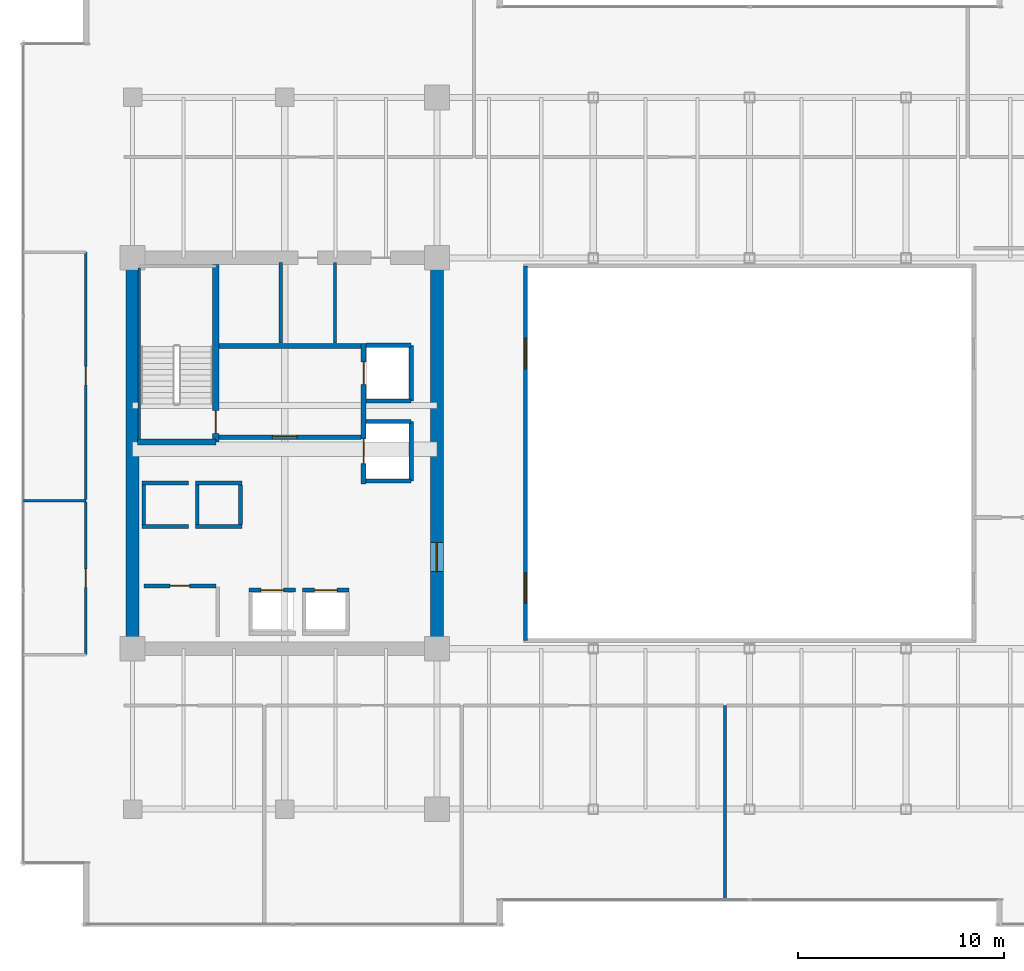
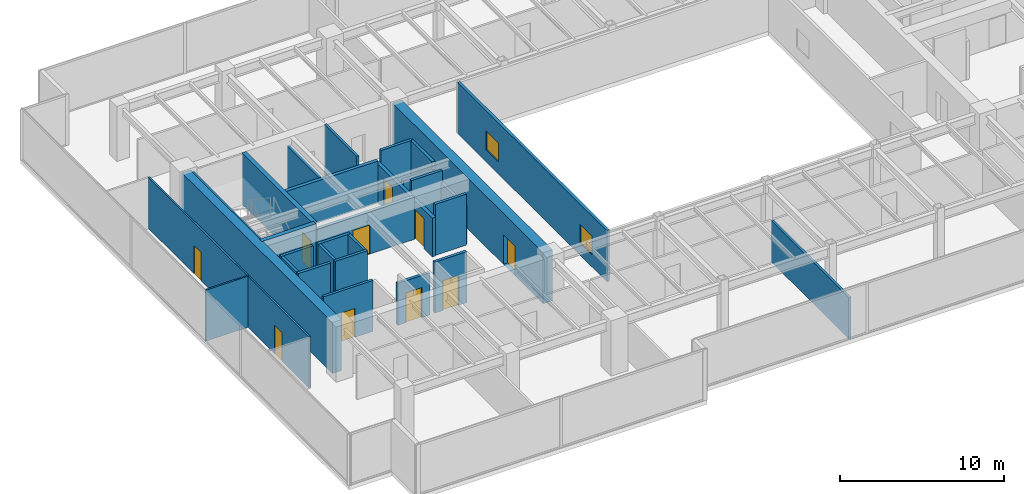
# One storey, part 25 of 30: 31 walls, 10 doors, 2 windows, 12 openings.
"""IFC4 building model written with IfcOpenShell, lengths in metres."""

from ifc_helpers import new_model, si_unit, direction, frame, frame_2d, origin, place, context, subcontext, project, spatial, rectangle, extrude, source, transform, mapped, material, layer, layer_set, type_object, type_shapes, element, fill, save


model = new_model("IFC4")

# Units and contexts
model_context = context("Model", 3, precision=1e-05, world=origin(), true_north=direction((0.0, 1.0)))
body_context = subcontext(model_context, "Body", "Model", "MODEL_VIEW")
ifc_project = project(units=[si_unit("LENGTHUNIT", "METRE"), si_unit("AREAUNIT", "SQUARE_METRE"), si_unit("VOLUMEUNIT", "CUBIC_METRE"), si_unit("PLANEANGLEUNIT", "RADIAN"), si_unit("MASSUNIT", "GRAM", prefix="KILO")], contexts=[model_context])

# Site, building, storey
site_placement = place(None, origin())
site = spatial("IfcSite", under=ifc_project, at=site_placement, CompositionType="ELEMENT")
building_placement = place(site_placement, origin())
building = spatial("IfcBuilding", under=site, at=building_placement, Name="Haelvirn Gate Laboratories", CompositionType="ELEMENT")
storey_placement = place(building_placement, frame((0.0, 0.0, 125.60009765625)))
storey = spatial("IfcBuildingStorey", under=building, at=storey_placement, Name="L30", CompositionType="ELEMENT", Elevation=125.60009765625)

# Wall
ifc_material_1 = material(Name="Double-layer acoustic gypsum laboratory partition", Category="gypsum")
ifc_layer_1 = layer(ifc_material_1, 0.159912109375, Name="IW-ACOUST-160")
ifc_layer_set_1 = layer_set([ifc_layer_1], Name="Double-layer acoustic gypsum laboratory partition")
wall_type_1 = type_object("IfcWallType", Name="IW-ACOUST-160", PredefinedType="PARTITIONING", material=ifc_layer_set_1)
wall_1_placement = place(storey_placement, frame((36.199951171875, 2.610107421875, 0.0), z_axis=(0.0, 0.0, 1.0), x_axis=(0.0, 1.0, 0.0)))
element("IfcWall", 1, at=wall_1_placement, inside=storey, type_object=wall_type_1, Name="L30 Interior Wall IW-L30-SDIV-03", PredefinedType="PARTITIONING", context=body_context, shape_type="SweptSolid", body=[
    extrude(rectangle(XDim=9.429931640625, YDim=0.159912109375, at=frame_2d((4.71484375, 0.0))), origin(), (0.0, 0.0, 1.0), 3.074951171875),
])

# Wall, openings, windows
ifc_material_2 = material(Name="Tempered fire-rated borosilicate glass & anodised aluminium", Category="aluminium")
ifc_layer_2 = layer(ifc_material_2, 0.195068359375, Name="IW-GLAZ-200")
ifc_layer_set_2 = layer_set([ifc_layer_2], Name="Tempered fire-rated borosilicate glass & anodised aluminium")
wall_type_2 = type_object("IfcWallType", Name="IW-GLAZ-200", PredefinedType="SOLIDWALL", material=ifc_layer_set_2)
wall_2_placement = place(storey_placement, frame((26.5, 15.199951171875, 0.0), z_axis=(0.0, 0.0, 1.0), x_axis=(0.0, 1.0, 0.0)))
wall_2 = element("IfcWall", 2, at=wall_2_placement, inside=storey, type_object=wall_type_2, Name="L30 Interior Wall IW-L30-ATRIUM-W", PredefinedType="SOLIDWALL", context=body_context, shape_type="SweptSolid", body=[
    extrude(rectangle(XDim=18.199951171875, YDim=0.195068359375, at=frame_2d((9.10009765625, 0.0))), origin(), (0.0, 0.0, 1.0), 3.789794921875),
])
opening_1_placement = place(wall_2_placement, frame((1.800048828125, 0.0, 0.89990234375)))
opening_1 = element("IfcOpeningElement", 3, at=opening_1_placement, cuts=wall_2, Name="Opening W5", PredefinedType="OPENING", context=body_context, shape_type="SweptSolid", body=[
    extrude(rectangle(XDim=1.5, YDim=1.39990234375, at=frame_2d((0.75, 0.699951171875))), frame((0.0, 0.107421875, 0.0), z_axis=(0.0, -1.0, 0.0), x_axis=(1.0, 0.0, 0.0)), (0.0, 0.0, 1.0), 0.215087890625),
])
opening_2_placement = place(wall_2_placement, frame((13.199951171875, 0.0, 0.89990234375)))
opening_2 = element("IfcOpeningElement", 4, at=opening_2_placement, cuts=wall_2, Name="Opening W5", PredefinedType="OPENING", context=body_context, shape_type="SweptSolid", body=[
    extrude(rectangle(XDim=1.5, YDim=1.39990234375, at=frame_2d((0.75, 0.699951171875))), frame((0.0, 0.107421875, 0.0), z_axis=(0.0, -1.0, 0.0), x_axis=(1.0, 0.0, 0.0)), (0.0, 0.0, 1.0), 0.215087890625),
])
ifc_material_3 = material(Name="Fire-rated EI 120 borosilicate atrium vision glazing", Category="glass")
window_type = type_object("IfcWindowType", Name="WN-ATR-1500", PartitioningType="SINGLE_PANEL", PredefinedType="WINDOW", material=ifc_material_3)
shared_shape_1 = source(origin(), body_context, "Body", "SweptSolid", [
    extrude(rectangle(XDim=1.5, YDim=1.39990234375, at=frame_2d((0.75, 0.699951171875))), frame((0.0, 0.030029296875, 0.0), z_axis=(0.0, -1.0, 0.0), x_axis=(1.0, 0.0, 0.0)), (0.0, 0.0, 1.0), 0.06005859375),
])
type_shapes(window_type, [shared_shape_1])
window_1_placement = place(opening_1_placement, origin())
window_1 = element("IfcWindow", 5, at=window_1_placement, inside=storey, type_object=window_type, Name="L30 Atrium Observation Window 1", OverallHeight=1.39990234375, OverallWidth=1.5, PartitioningType="SINGLE_PANEL", PredefinedType="WINDOW", context=body_context, shape_type="MappedRepresentation", body=[
    mapped(shared_shape_1, transform((0.0, 0.0, 0.0), scale=1.0)),
])
fill(opening_1, window_1)
window_2_placement = place(opening_2_placement, origin())
window_2 = element("IfcWindow", 6, at=window_2_placement, inside=storey, type_object=window_type, Name="L30 Atrium Observation Window 2", OverallHeight=1.39990234375, OverallWidth=1.5, PartitioningType="SINGLE_PANEL", PredefinedType="WINDOW", context=body_context, shape_type="MappedRepresentation", body=[
    mapped(shared_shape_1, transform((0.0, 0.0, 0.0), scale=1.0)),
])
fill(opening_2, window_2)

# Wall, opening, door
ifc_material_4 = material(Name="Lightweight acoustic gypsum board partition", Category="gypsum")
ifc_layer_3 = layer(ifc_material_4, 0.1201171875, Name="IW-PART-120")
ifc_layer_set_3 = layer_set([ifc_layer_3], Name="Lightweight acoustic gypsum board partition")
wall_type_3 = type_object("IfcWallType", Name="IW-PART-120", PredefinedType="PARTITIONING", material=ifc_layer_set_3)
wall_3_placement = place(storey_placement, frame((5.1298828125, 14.514892578125, 0.0), z_axis=(0.0, 0.0, 1.0), x_axis=(0.0, 1.0, 0.0)))
wall_3 = element("IfcWall", 7, at=wall_3_placement, inside=storey, type_object=wall_type_3, Name="L30 Interior Wall IW-L30-WPASS-01", PredefinedType="PARTITIONING", context=body_context, shape_type="SweptSolid", body=[
    extrude(rectangle(XDim=7.425048828125, YDim=0.1201171875, at=frame_2d((3.71240234375, 0.0))), origin(), (0.0, 0.0, 1.0), 3.789794921875),
])
opening_3_placement = place(wall_3_placement, frame((3.262451171875, 0.0, 0.0)))
opening_3 = element("IfcOpeningElement", 8, at=opening_3_placement, cuts=wall_3, Name="Opening D4", PredefinedType="OPENING", context=body_context, shape_type="SweptSolid", body=[
    extrude(rectangle(XDim=0.89990234375, YDim=2.10009765625, at=frame_2d((0.449951171875, 1.050048828125))), frame((0.0, 0.070068359375, 0.0), z_axis=(0.0, -1.0, 0.0), x_axis=(1.0, 0.0, 0.0)), (0.0, 0.0, 1.0), 0.14013671875),
])
ifc_material_5 = material(Name="Glazed aluminium-framed write-up door", Category="aluminium")
door_type_1 = type_object("IfcDoorType", Name="DR-OFF-900", OperationType="NOTDEFINED", PredefinedType="DOOR", material=ifc_material_5)
shared_shape_2 = source(origin(), body_context, "Body", "SweptSolid", [
    extrude(rectangle(XDim=0.89990234375, YDim=2.10009765625, at=frame_2d((0.449951171875, 1.050048828125))), frame((0.0, 0.02490234375, 0.0), z_axis=(0.0, -1.0, 0.0), x_axis=(1.0, 0.0, 0.0)), (0.0, 0.0, 1.0), 0.050048828125),
])
type_shapes(door_type_1, [shared_shape_2])
door_1_placement = place(opening_3_placement, origin())
door_1 = element("IfcDoor", 9, at=door_1_placement, inside=storey, type_object=door_type_1, Name="L30 Researcher Break Pantry Door W1", OperationType="SINGLE_SWING_LEFT", OverallHeight=2.10009765625, OverallWidth=0.89990234375, PredefinedType="DOOR", context=body_context, shape_type="MappedRepresentation", body=[
    mapped(shared_shape_2, transform((0.0, 0.0, 0.0), scale=1.0)),
])
fill(opening_3, door_1)

# Wall
wall_4_placement = place(storey_placement, frame((2.110107421875, 22.0, 0.0), z_axis=(0.0, 0.0, 1.0), x_axis=(1.0, 0.0, 0.0)))
element("IfcWall", 10, at=wall_4_placement, inside=storey, type_object=wall_type_3, Name="L30 Interior Wall IW-L30-WDIV-01", PredefinedType="PARTITIONING", context=body_context, shape_type="SweptSolid", body=[
    extrude(rectangle(XDim=3.019775390625, YDim=0.1201171875, at=frame_2d((1.509765625, 0.0))), origin(), (0.0, 0.0, 1.0), 3.789794921875),
])

# Wall, opening, door
wall_5_placement = place(storey_placement, frame((5.1298828125, 22.06005859375, 0.0), z_axis=(0.0, 0.0, 1.0), x_axis=(0.0, 1.0, 0.0)))
wall_5 = element("IfcWall", 11, at=wall_5_placement, inside=storey, type_object=wall_type_3, Name="L30 Interior Wall IW-L30-WPASS-02", PredefinedType="PARTITIONING", context=body_context, shape_type="SweptSolid", body=[
    extrude(rectangle(XDim=12.02490234375, YDim=0.1201171875, at=frame_2d((6.012451171875, 0.0))), origin(), (0.0, 0.0, 1.0), 3.789794921875),
])
opening_4_placement = place(wall_5_placement, frame((5.5625, 0.0, 0.0)))
opening_4 = element("IfcOpeningElement", 12, at=opening_4_placement, cuts=wall_5, Name="Opening D4", PredefinedType="OPENING", context=body_context, shape_type="SweptSolid", body=[
    extrude(rectangle(XDim=0.89990234375, YDim=2.10009765625, at=frame_2d((0.449951171875, 1.050048828125))), frame((0.0, 0.070068359375, 0.0), z_axis=(0.0, -1.0, 0.0), x_axis=(1.0, 0.0, 0.0)), (0.0, 0.0, 1.0), 0.14013671875),
])
door_2_placement = place(opening_4_placement, origin())
door_2 = element("IfcDoor", 13, at=door_2_placement, inside=storey, type_object=door_type_1, Name="L30 Bioprocess Foundry Laboratory Door W2", OperationType="SINGLE_SWING_RIGHT", OverallHeight=2.10009765625, OverallWidth=0.89990234375, PredefinedType="DOOR", context=body_context, shape_type="MappedRepresentation", body=[
    mapped(shared_shape_2, transform((0.0, 0.0, 0.0), scale=1.0)),
])
fill(opening_4, door_2)

# Walls
ifc_material_6 = material(Name="Cement-board restroom plumbing chase wall", Category="gypsum")
ifc_layer_4 = layer(ifc_material_6, 0.155029296875, Name="IW-PLUMB-160")
ifc_layer_set_4 = layer_set([ifc_layer_4], Name="Cement-board restroom plumbing chase wall")
wall_type_4 = type_object("IfcWallType", Name="IW-PLUMB-160", PredefinedType="PLUMBINGWALL", material=ifc_layer_set_4)
wall_6_placement = place(storey_placement, frame((14.610107421875, 29.64990234375, 0.0), z_axis=(0.0, 0.0, 1.0), x_axis=(0.0, 1.0, 0.0)))
element("IfcWall", 14, at=wall_6_placement, inside=storey, type_object=wall_type_4, Name="L30 Interior Wall IW-L30-W-CDIV-0", PredefinedType="PLUMBINGWALL", context=body_context, shape_type="SweptSolid", body=[
    extrude(rectangle(XDim=3.93017578125, YDim=0.155029296875, at=frame_2d((1.965087890625, 0.0))), origin(), (0.0, 0.0, 1.0), 3.125),
])
wall_7_placement = place(storey_placement, frame((17.239990234375, 29.64990234375, 0.0), z_axis=(0.0, 0.0, 1.0), x_axis=(0.0, 1.0, 0.0)))
element("IfcWall", 15, at=wall_7_placement, inside=storey, type_object=wall_type_4, Name="L30 Interior Wall IW-L30-W-CDIV-1", PredefinedType="PLUMBINGWALL", context=body_context, shape_type="SweptSolid", body=[
    extrude(rectangle(XDim=3.93017578125, YDim=0.155029296875, at=frame_2d((1.965087890625, 0.0))), origin(), (0.0, 0.0, 1.0), 3.789794921875),
])
ifc_material_7 = material(Name="Concrete C40/50", Category="concrete")
ifc_layer_5 = layer(ifc_material_7, 0.179931640625, Name="IW-SHAFT-180")
ifc_layer_set_5 = layer_set([ifc_layer_5], Name="Concrete C40/50")
wall_type_5 = type_object("IfcWallType", Name="IW-SHAFT-180", PredefinedType="SOLIDWALL", material=ifc_layer_set_5)
for number, where, z_axis, x_axis, name in (
    (16, (7.949951171875, 20.85009765625, 0.0), (0.0, 0.0, 1.0), (0.0, 1.0, 0.0), "L30 Interior Wall IW-L30-PL9-SD"),
    (17, (10.550048828125, 20.85009765625, 0.0), (0.0, 0.0, 1.0), (0.0, 1.0, 0.0), "L30 Interior Wall IW-L30-PL10-SD"),
    (18, (12.64990234375, 20.85009765625, 0.0), (0.0, 0.0, 1.0), (0.0, 1.0, 0.0), "L30 Interior Wall IW-L30-PL10-SDE"),
):
    element("IfcWall", number, at=place(storey_placement, frame(where, z_axis=z_axis, x_axis=x_axis)), inside=storey, type_object=wall_type_5, Name=name, PredefinedType="SOLIDWALL", context=body_context, shape_type="SweptSolid", body=[
        extrude(rectangle(XDim=1.89990234375, YDim=0.179931640625, at=frame_2d((0.949951171875, 0.0))), origin(), (0.0, 0.0, 1.0), 3.789794921875),
    ])

# Wall, opening, door
wall_8_placement = place(storey_placement, frame((7.949951171875, 17.85009765625, 0.0), z_axis=(0.0, 0.0, 1.0), x_axis=(1.0, 0.0, 0.0)))
wall_8 = element("IfcWall", 19, at=wall_8_placement, inside=storey, type_object=wall_type_5, Name="L30 Interior Wall IW-L30-W-FREED-LN-1", PredefinedType="SOLIDWALL", context=body_context, shape_type="SweptSolid", body=[
    extrude(rectangle(XDim=3.5, YDim=0.179931640625, at=frame_2d((1.75, 0.0))), origin(), (0.0, 0.0, 1.0), 3.789794921875),
])
opening_5_placement = place(wall_8_placement, frame((1.27490234375, 0.0, 0.0)))
opening_5 = element("IfcOpeningElement", 20, at=opening_5_placement, cuts=wall_8, Name="Opening FD4", PredefinedType="OPENING", context=body_context, shape_type="SweptSolid", body=[
    extrude(rectangle(XDim=0.949951171875, YDim=2.14990234375, at=frame_2d((0.47509765625, 1.074951171875))), frame((0.0, 0.10009765625, 0.0), z_axis=(0.0, -1.0, 0.0), x_axis=(1.0, 0.0, 0.0)), (0.0, 0.0, 1.0), 0.199951171875),
])
ifc_material_8 = material(Name="Fire-rated steel SM355 core service door", Category="steel")
door_type_2 = type_object("IfcDoorType", Name="DR-FD-950", OperationType="NOTDEFINED", PredefinedType="DOOR", material=ifc_material_8)
shared_shape_3 = source(origin(), body_context, "Body", "SweptSolid", [
    extrude(rectangle(XDim=0.949951171875, YDim=2.14990234375, at=frame_2d((0.47509765625, 1.074951171875))), frame((0.0, 0.02490234375, 0.0), z_axis=(0.0, -1.0, 0.0), x_axis=(1.0, 0.0, 0.0)), (0.0, 0.0, 1.0), 0.050048828125),
])
type_shapes(door_type_2, [shared_shape_3])
door_3_placement = place(opening_5_placement, origin())
door_3 = element("IfcDoor", 21, at=door_3_placement, inside=storey, type_object=door_type_2, Name="L30 Core Calibration Room Door", OperationType="SINGLE_SWING_LEFT", OverallHeight=2.14990234375, OverallWidth=0.949951171875, PredefinedType="DOOR", context=body_context, shape_type="MappedRepresentation", body=[
    mapped(shared_shape_3, transform((0.0, 0.0, 0.0), scale=1.0)),
])
fill(opening_5, door_3)

ifc_layer_6 = layer(ifc_material_7, 0.199951171875, Name="IW-SHAFT-200")
ifc_layer_set_6 = layer_set([ifc_layer_6], Name="Concrete C40/50")
wall_type_6 = type_object("IfcWallType", Name="IW-SHAFT-200", PredefinedType="SOLIDWALL", material=ifc_layer_set_6)
wall_9_placement = place(storey_placement, frame((13.070068359375, 17.64990234375, 0.0), z_axis=(0.0, 0.0, 1.0), x_axis=(1.0, 0.0, 0.0)))
wall_9 = element("IfcWall", 22, at=wall_9_placement, inside=storey, type_object=wall_type_6, Name="L30 Interior Wall IW-L30-PL5-FR", PredefinedType="SOLIDWALL", context=body_context, shape_type="SweptSolid", body=[
    extrude(rectangle(XDim=2.260009765625, YDim=0.199951171875, at=frame_2d((1.1298828125, 0.0))), origin(), (0.0, 0.0, 1.0), 3.125),
])
opening_6_placement = place(wall_9_placement, frame((0.580078125, 0.0, 0.0)))
opening_6 = element("IfcOpeningElement", 23, at=opening_6_placement, cuts=wall_9, Name="Opening LD2", PredefinedType="OPENING", context=body_context, shape_type="SweptSolid", body=[
    extrude(rectangle(XDim=1.10009765625, YDim=2.219970703125, at=frame_2d((0.550048828125, 1.10986328125))), frame((0.0, 0.10986328125, 0.0), z_axis=(0.0, -1.0, 0.0), x_axis=(1.0, 0.0, 0.0)), (0.0, 0.0, 1.0), 0.219970703125),
])
ifc_material_9 = material(Name="Bronze stainless 316L sliding lift landing door")
door_type_3 = type_object("IfcDoorType", Name="DR-LD-1100", OperationType="NOTDEFINED", PredefinedType="USERDEFINED", material=ifc_material_9)
shared_shape_4 = source(origin(), body_context, "Body", "SweptSolid", [
    extrude(rectangle(XDim=1.10009765625, YDim=2.219970703125, at=frame_2d((0.550048828125, 1.10986328125))), frame((0.0, 0.02490234375, 0.0), z_axis=(0.0, -1.0, 0.0), x_axis=(1.0, 0.0, 0.0)), (0.0, 0.0, 1.0), 0.050048828125),
])
type_shapes(door_type_3, [shared_shape_4])
door_4_placement = place(opening_6_placement, origin())
door_4 = element("IfcDoor", 24, at=door_4_placement, inside=storey, type_object=door_type_3, Name="L30 Passenger Lift PL5 Landing Door", ObjectType="LANDING_DOOR", OperationType="SLIDING_TO_LEFT", OverallHeight=2.219970703125, OverallWidth=1.10009765625, PredefinedType="USERDEFINED", context=body_context, shape_type="MappedRepresentation", body=[
    mapped(shared_shape_4, transform((0.0, 0.0, 0.0), scale=1.0)),
])
fill(opening_6, door_4)

wall_10_placement = place(storey_placement, frame((15.669921875, 17.64990234375, 0.0), z_axis=(0.0, 0.0, 1.0), x_axis=(1.0, 0.0, 0.0)))
wall_10 = element("IfcWall", 25, at=wall_10_placement, inside=storey, type_object=wall_type_6, Name="L30 Interior Wall IW-L30-PL6-FR", PredefinedType="SOLIDWALL", context=body_context, shape_type="SweptSolid", body=[
    extrude(rectangle(XDim=2.260009765625, YDim=0.199951171875, at=frame_2d((1.1298828125, 0.0))), origin(), (0.0, 0.0, 1.0), 3.789794921875),
])
opening_7_placement = place(wall_10_placement, frame((0.580078125, 0.0, 0.0)))
opening_7 = element("IfcOpeningElement", 26, at=opening_7_placement, cuts=wall_10, Name="Opening LD2", PredefinedType="OPENING", context=body_context, shape_type="SweptSolid", body=[
    extrude(rectangle(XDim=1.10009765625, YDim=2.219970703125, at=frame_2d((0.550048828125, 1.10986328125))), frame((0.0, 0.10986328125, 0.0), z_axis=(0.0, -1.0, 0.0), x_axis=(1.0, 0.0, 0.0)), (0.0, 0.0, 1.0), 0.219970703125),
])
door_5_placement = place(opening_7_placement, origin())
door_5 = element("IfcDoor", 27, at=door_5_placement, inside=storey, type_object=door_type_3, Name="L30 Passenger Lift PL6 Landing Door", ObjectType="LANDING_DOOR", OperationType="SLIDING_TO_RIGHT", OverallHeight=2.219970703125, OverallWidth=1.10009765625, PredefinedType="USERDEFINED", context=body_context, shape_type="MappedRepresentation", body=[
    mapped(shared_shape_4, transform((0.0, 0.0, 0.0), scale=1.0)),
])
fill(opening_7, door_5)

# Walls
for number, where, z_axis, x_axis, name in (
    (28, (7.8701171875, 20.75, 0.0), (0.0, 0.0, 1.0), (1.0, 0.0, 0.0), "L30 Interior Wall IW-L30-PL9-FR"),
    (29, (7.8701171875, 22.85009765625, 0.0), (0.0, 0.0, 1.0), (1.0, 0.0, 0.0), "L30 Interior Wall IW-L30-PL9-BK"),
):
    element("IfcWall", number, at=place(storey_placement, frame(where, z_axis=z_axis, x_axis=x_axis)), inside=storey, type_object=wall_type_6, Name=name, PredefinedType="SOLIDWALL", context=body_context, shape_type="SweptSolid", body=[
        extrude(rectangle(XDim=2.259765625, YDim=0.199951171875, at=frame_2d((1.1298828125, 0.0))), origin(), (0.0, 0.0, 1.0), 3.789794921875),
    ])
for number, where, z_axis, x_axis, name in (
    (30, (10.469970703125, 20.75, 0.0), (0.0, 0.0, 1.0), (1.0, 0.0, 0.0), "L30 Interior Wall IW-L30-PL10-FR"),
    (31, (10.469970703125, 22.85009765625, 0.0), (0.0, 0.0, 1.0), (1.0, 0.0, 0.0), "L30 Interior Wall IW-L30-PL10-BK"),
):
    element("IfcWall", number, at=place(storey_placement, frame(where, z_axis=z_axis, x_axis=x_axis)), inside=storey, type_object=wall_type_6, Name=name, PredefinedType="SOLIDWALL", context=body_context, shape_type="SweptSolid", body=[
        extrude(rectangle(XDim=2.260009765625, YDim=0.199951171875, at=frame_2d((1.1298828125, 0.0))), origin(), (0.0, 0.0, 1.0), 3.789794921875),
    ])
wall_11_placement = place(storey_placement, frame((20.949951171875, 26.85009765625, 0.0), z_axis=(0.0, 0.0, 1.0), x_axis=(0.0, 1.0, 0.0)))
element("IfcWall", 32, at=wall_11_placement, inside=storey, type_object=wall_type_6, Name="L30 Interior Wall IW-L30-FL1-BK", PredefinedType="SOLIDWALL", context=body_context, shape_type="SweptSolid", body=[
    extrude(rectangle(XDim=2.699951171875, YDim=0.199951171875, at=frame_2d((1.35009765625, 0.0))), origin(), (0.0, 0.0, 1.0), 3.789794921875),
])
wall_12_placement = place(storey_placement, frame((18.760009765625, 29.550048828125, 0.0), z_axis=(0.0, 0.0, 1.0), x_axis=(1.0, 0.0, 0.0)))
element("IfcWall", 33, at=wall_12_placement, inside=storey, type_object=wall_type_6, Name="L30 Interior Wall IW-L30-FL1-N", PredefinedType="SOLIDWALL", context=body_context, shape_type="SweptSolid", body=[
    extrude(rectangle(XDim=2.18994140625, YDim=0.199951171875, at=frame_2d((1.094970703125, 0.0))), origin(), (0.0, 0.0, 1.0), 3.789794921875),
])
wall_13_placement = place(storey_placement, frame((18.760009765625, 26.85009765625, 0.0), z_axis=(0.0, 0.0, 1.0), x_axis=(1.0, 0.0, 0.0)))
element("IfcWall", 34, at=wall_13_placement, inside=storey, type_object=wall_type_6, Name="L30 Interior Wall IW-L30-FL1-S", PredefinedType="SOLIDWALL", context=body_context, shape_type="SweptSolid", body=[
    extrude(rectangle(XDim=2.18994140625, YDim=0.199951171875, at=frame_2d((1.094970703125, 0.0))), origin(), (0.0, 0.0, 1.0), 3.18701171875),
])
wall_14_placement = place(storey_placement, frame((20.949951171875, 22.949951171875, 0.0), z_axis=(0.0, 0.0, 1.0), x_axis=(0.0, 1.0, 0.0)))
element("IfcWall", 35, at=wall_14_placement, inside=storey, type_object=wall_type_6, Name="L30 Interior Wall IW-L30-SL1-BK", PredefinedType="SOLIDWALL", context=body_context, shape_type="SweptSolid", body=[
    extrude(rectangle(XDim=2.900146484375, YDim=0.199951171875, at=frame_2d((1.4501953125, 0.0))), origin(), (0.0, 0.0, 1.0), 2.875),
])
for number, where, z_axis, x_axis, name in (
    (36, (18.760009765625, 25.85009765625, 0.0), (0.0, 0.0, 1.0), (1.0, 0.0, 0.0), "L30 Interior Wall IW-L30-SL1-N"),
    (37, (18.760009765625, 22.949951171875, 0.0), (0.0, 0.0, 1.0), (1.0, 0.0, 0.0), "L30 Interior Wall IW-L30-SL1-S"),
):
    element("IfcWall", number, at=place(storey_placement, frame(where, z_axis=z_axis, x_axis=x_axis)), inside=storey, type_object=wall_type_6, Name=name, PredefinedType="SOLIDWALL", context=body_context, shape_type="SweptSolid", body=[
        extrude(rectangle(XDim=2.18994140625, YDim=0.199951171875, at=frame_2d((1.094970703125, 0.0))), origin(), (0.0, 0.0, 1.0), 3.789794921875),
    ])

# Wall, opening, door
ifc_layer_7 = layer(ifc_material_7, 0.239990234375, Name="IW-SHAFT-240")
ifc_layer_set_7 = layer_set([ifc_layer_7], Name="Concrete C40/50")
wall_type_7 = type_object("IfcWallType", Name="IW-SHAFT-240", PredefinedType="SOLIDWALL", material=ifc_layer_set_7)
wall_15_placement = place(storey_placement, frame((11.60009765625, 25.080078125, 0.0), z_axis=(0.0, 0.0, 1.0), x_axis=(1.0, 0.0, 0.0)))
wall_15 = element("IfcWall", 38, at=wall_15_placement, inside=storey, type_object=wall_type_7, Name="L30 Interior Wall IW-L30-W-FF-S", PredefinedType="SOLIDWALL", context=body_context, shape_type="SweptSolid", body=[
    extrude(rectangle(XDim=6.919921875, YDim=0.239990234375, at=frame_2d((3.4599609375, 0.0))), origin(), (0.0, 0.0, 1.0), 3.125),
])
opening_8_placement = place(wall_15_placement, frame((2.60009765625, 0.0, 0.0)))
opening_8 = element("IfcOpeningElement", 39, at=opening_8_placement, cuts=wall_15, Name="Opening FD2", PredefinedType="OPENING", context=body_context, shape_type="SweptSolid", body=[
    extrude(rectangle(XDim=1.199951171875, YDim=2.159912109375, at=frame_2d((0.60009765625, 1.080078125))), frame((0.0, 0.1298828125, 0.0), z_axis=(0.0, -1.0, 0.0), x_axis=(1.0, 0.0, 0.0)), (0.0, 0.0, 1.0), 0.260009765625),
])
ifc_material_10 = material(Name="Fire-rated steel SM355 compartment door", Category="steel")
door_type_4 = type_object("IfcDoorType", Name="DR-FD-1200", OperationType="NOTDEFINED", PredefinedType="DOOR", material=ifc_material_10)
shared_shape_5 = source(origin(), body_context, "Body", "SweptSolid", [
    extrude(rectangle(XDim=1.199951171875, YDim=2.159912109375, at=frame_2d((0.60009765625, 1.080078125))), frame((0.0, 0.02490234375, 0.0), z_axis=(0.0, -1.0, 0.0), x_axis=(1.0, 0.0, 0.0)), (0.0, 0.0, 1.0), 0.050048828125),
])
type_shapes(door_type_4, [shared_shape_5])
door_6_placement = place(opening_8_placement, origin())
door_6 = element("IfcDoor", 40, at=door_6_placement, inside=storey, type_object=door_type_4, Name="L30 West Firefighting Lobby Door", OperationType="SINGLE_SWING_RIGHT", OverallHeight=2.159912109375, OverallWidth=1.199951171875, PredefinedType="DOOR", context=body_context, shape_type="MappedRepresentation", body=[
    mapped(shared_shape_5, transform((0.0, 0.0, 0.0), scale=1.0)),
])
fill(opening_8, door_6)

# Wall
wall_16_placement = place(storey_placement, frame((11.60009765625, 29.52001953125, 0.0), z_axis=(0.0, 0.0, 1.0), x_axis=(1.0, 0.0, 0.0)))
element("IfcWall", 41, at=wall_16_placement, inside=storey, type_object=wall_type_7, Name="L30 Interior Wall IW-L30-W-FF-N", PredefinedType="SOLIDWALL", context=body_context, shape_type="SweptSolid", body=[
    extrude(rectangle(XDim=6.919921875, YDim=0.239990234375, at=frame_2d((3.4599609375, 0.0))), origin(), (0.0, 0.0, 1.0), 3.125),
])

# Wall, openings, doors
wall_17_placement = place(storey_placement, frame((18.639892578125, 22.800048828125, 0.0), z_axis=(0.0, 0.0, 1.0), x_axis=(0.0, 1.0, 0.0)))
wall_17 = element("IfcWall", 42, at=wall_17_placement, inside=storey, type_object=wall_type_7, Name="L30 Interior Wall IW-L30-W-FF-E", PredefinedType="SOLIDWALL", context=body_context, shape_type="SweptSolid", body=[
    extrude(rectangle(XDim=6.849853515625, YDim=0.239990234375, at=frame_2d((3.4248046875, 0.0))), origin(), (0.0, 0.0, 1.0), 2.875),
])
opening_9_placement = place(wall_17_placement, frame((4.85009765625, 0.0, 0.0)))
opening_9 = element("IfcOpeningElement", 43, at=opening_9_placement, cuts=wall_17, Name="Opening LD2", PredefinedType="OPENING", context=body_context, shape_type="SweptSolid", body=[
    extrude(rectangle(XDim=1.10009765625, YDim=2.219970703125, at=frame_2d((0.550048828125, 1.10986328125))), frame((0.0, 0.1298828125, 0.0), z_axis=(0.0, -1.0, 0.0), x_axis=(1.0, 0.0, 0.0)), (0.0, 0.0, 1.0), 0.260009765625),
])
opening_10_placement = place(wall_17_placement, frame((1.0, 0.0, 0.0)))
opening_10 = element("IfcOpeningElement", 44, at=opening_10_placement, cuts=wall_17, Name="Opening LD1", PredefinedType="OPENING", context=body_context, shape_type="SweptSolid", body=[
    extrude(rectangle(XDim=1.199951171875, YDim=2.219970703125, at=frame_2d((0.60009765625, 1.10986328125))), frame((0.0, 0.1298828125, 0.0), z_axis=(0.0, -1.0, 0.0), x_axis=(1.0, 0.0, 0.0)), (0.0, 0.0, 1.0), 0.260009765625),
])
door_7_placement = place(opening_9_placement, origin())
door_7 = element("IfcDoor", 45, at=door_7_placement, inside=storey, type_object=door_type_3, Name="L30 Firefighting Lift FL1 Landing Door", ObjectType="LANDING_DOOR", OperationType="SLIDING_TO_LEFT", OverallHeight=2.219970703125, OverallWidth=1.10009765625, PredefinedType="USERDEFINED", context=body_context, shape_type="MappedRepresentation", body=[
    mapped(shared_shape_4, transform((0.0, 0.0, 0.0), scale=1.0)),
])
fill(opening_9, door_7)
ifc_material_11 = material(Name="Stainless steel 316L sliding goods landing door", Category="steel")
door_type_5 = type_object("IfcDoorType", Name="DR-LD-1200", OperationType="NOTDEFINED", PredefinedType="USERDEFINED", material=ifc_material_11)
shared_shape_6 = source(origin(), body_context, "Body", "SweptSolid", [
    extrude(rectangle(XDim=1.199951171875, YDim=2.219970703125, at=frame_2d((0.60009765625, 1.10986328125))), frame((0.0, 0.02490234375, 0.0), z_axis=(0.0, -1.0, 0.0), x_axis=(1.0, 0.0, 0.0)), (0.0, 0.0, 1.0), 0.050048828125),
])
type_shapes(door_type_5, [shared_shape_6])
door_8_placement = place(opening_10_placement, origin())
door_8 = element("IfcDoor", 46, at=door_8_placement, inside=storey, type_object=door_type_5, Name="L30 Service Lift SL1 Landing Door", ObjectType="LANDING_DOOR", OperationType="SLIDING_TO_RIGHT", OverallHeight=2.219970703125, OverallWidth=1.199951171875, PredefinedType="USERDEFINED", context=body_context, shape_type="MappedRepresentation", body=[
    mapped(shared_shape_6, transform((0.0, 0.0, 0.0), scale=1.0)),
])
fill(opening_10, door_8)

# Wall
ifc_material_12 = material(Name="Concrete C60/75", Category="concrete")
ifc_layer_8 = layer(ifc_material_12, 0.64990234375, Name="SW-CORE-650")
ifc_layer_set_8 = layer_set([ifc_layer_8], Name="Concrete C60/75")
wall_type_8 = type_object("IfcWallType", Name="SW-CORE-650", PredefinedType="SHEAR", material=ifc_layer_set_8)
wall_18_placement = place(storey_placement, frame((7.39990234375, 15.125, 0.0), z_axis=(0.0, 0.0, 1.0), x_axis=(0.0, 1.0, 0.0)))
element("IfcWall", 47, at=wall_18_placement, inside=storey, type_object=wall_type_8, Name="L30 W Core Shear Wall W", PredefinedType="SHEAR", context=body_context, shape_type="SweptSolid", body=[
    extrude(rectangle(XDim=18.35009765625, YDim=0.64990234375, at=frame_2d((9.175048828125, 0.0))), origin(), (0.0, 0.0, 1.0), 3.789794921875),
])

# Wall, opening, door
wall_19_placement = place(storey_placement, frame((22.199951171875, 15.125, 0.0), z_axis=(0.0, 0.0, 1.0), x_axis=(0.0, 1.0, 0.0)))
wall_19 = element("IfcWall", 48, at=wall_19_placement, inside=storey, type_object=wall_type_8, Name="L30 W Core Shear Wall E", PredefinedType="SHEAR", context=body_context, shape_type="SweptSolid", body=[
    extrude(rectangle(XDim=18.35009765625, YDim=0.64990234375, at=frame_2d((9.175048828125, 0.0))), origin(), (0.0, 0.0, 1.0), 3.789794921875),
])
opening_11_placement = place(wall_19_placement, frame((3.425048828125, 0.0, 0.0)))
opening_11 = element("IfcOpeningElement", 49, at=opening_11_placement, cuts=wall_19, Name="Opening FD1", PredefinedType="OPENING", context=body_context, shape_type="SweptSolid", body=[
    extrude(rectangle(XDim=1.419921875, YDim=2.199951171875, at=frame_2d((0.7099609375, 1.10009765625))), frame((0.0, 0.3349609375, 0.0), z_axis=(0.0, -1.0, 0.0), x_axis=(1.0, 0.0, 0.0)), (0.0, 0.0, 1.0), 0.669921875),
])
ifc_material_13 = material(Name="Fire-rated double steel SM355 lobby door", Category="steel")
door_type_6 = type_object("IfcDoorType", Name="DR-FD-1400", OperationType="NOTDEFINED", PredefinedType="DOOR", material=ifc_material_13)
shared_shape_7 = source(origin(), body_context, "Body", "SweptSolid", [
    extrude(rectangle(XDim=1.419921875, YDim=2.199951171875, at=frame_2d((0.7099609375, 1.10009765625))), frame((0.0, 0.02490234375, 0.0), z_axis=(0.0, -1.0, 0.0), x_axis=(1.0, 0.0, 0.0)), (0.0, 0.0, 1.0), 0.050048828125),
])
type_shapes(door_type_6, [shared_shape_7])
door_9_placement = place(opening_11_placement, origin())
door_9 = element("IfcDoor", 50, at=door_9_placement, inside=storey, type_object=door_type_6, Name="L30 West Core Lift Lobby Fire Door", OperationType="DOUBLE_DOOR_SINGLE_SWING", OverallHeight=2.199951171875, OverallWidth=1.419921875, PredefinedType="DOOR", context=body_context, shape_type="MappedRepresentation", body=[
    mapped(shared_shape_7, transform((0.0, 0.0, 0.0), scale=1.0)),
])
fill(opening_11, door_9)

# Wall
ifc_material_14 = material(Name="Concrete C50/60", Category="concrete")
ifc_layer_9 = layer(ifc_material_14, 0.1201171875, Name="SW-LINER-120")
ifc_layer_set_9 = layer_set([ifc_layer_9], Name="Concrete C50/60")
wall_type_9 = type_object("IfcWallType", Name="SW-LINER-120", PredefinedType="SOLIDWALL", material=ifc_layer_set_9)
wall_20_placement = place(storey_placement, frame((7.72998046875, 25.0, 0.0), z_axis=(0.0, 0.0, 1.0), x_axis=(0.0, 1.0, 0.0)))
element("IfcWall", 51, at=wall_20_placement, inside=storey, type_object=wall_type_9, Name="L30 W Core Stair Shaft Liner Wall OUT", PredefinedType="SOLIDWALL", context=body_context, shape_type="SweptSolid", body=[
    extrude(rectangle(XDim=8.320068359375, YDim=0.1201171875, at=frame_2d((4.16015625, 0.0))), origin(), (0.0, 0.0, 1.0), 3.789794921875),
])

# Wall, opening, door
ifc_layer_10 = layer(ifc_material_14, 0.300048828125, Name="SW-STAIR-300")
ifc_layer_set_10 = layer_set([ifc_layer_10], Name="Concrete C50/60")
wall_type_10 = type_object("IfcWallType", Name="SW-STAIR-300", PredefinedType="SHEAR", material=ifc_layer_set_10)
wall_21_placement = place(storey_placement, frame((11.449951171875, 24.85009765625, 0.0), z_axis=(0.0, 0.0, 1.0), x_axis=(0.0, 1.0, 0.0)))
wall_21 = element("IfcWall", 52, at=wall_21_placement, inside=storey, type_object=wall_type_10, Name="L30 W Core Stair Shaft Structural Wall IN", PredefinedType="SHEAR", context=body_context, shape_type="SweptSolid", body=[
    extrude(rectangle(XDim=8.6298828125, YDim=0.300048828125, at=frame_2d((4.31494140625, 0.0))), origin(), (0.0, 0.0, 1.0), 3.789794921875),
])
opening_12_placement = place(wall_21_placement, frame((0.419921875, 0.0, 0.0)))
opening_12 = element("IfcOpeningElement", 53, at=opening_12_placement, cuts=wall_21, Name="Opening FD3", PredefinedType="OPENING", context=body_context, shape_type="SweptSolid", body=[
    extrude(rectangle(XDim=1.10009765625, YDim=2.14990234375, at=frame_2d((0.550048828125, 1.074951171875))), frame((0.0, 0.16015625, 0.0), z_axis=(0.0, -1.0, 0.0), x_axis=(1.0, 0.0, 0.0)), (0.0, 0.0, 1.0), 0.320068359375),
])
ifc_material_15 = material(Name="Fire-rated steel SM355 escape stair door", Category="steel")
door_type_7 = type_object("IfcDoorType", Name="DR-FD-1100", OperationType="NOTDEFINED", PredefinedType="DOOR", material=ifc_material_15)
shared_shape_8 = source(origin(), body_context, "Body", "SweptSolid", [
    extrude(rectangle(XDim=1.10009765625, YDim=2.14990234375, at=frame_2d((0.550048828125, 1.074951171875))), frame((0.0, 0.02490234375, 0.0), z_axis=(0.0, -1.0, 0.0), x_axis=(1.0, 0.0, 0.0)), (0.0, 0.0, 1.0), 0.050048828125),
])
type_shapes(door_type_7, [shared_shape_8])
door_10_placement = place(opening_12_placement, origin())
door_10 = element("IfcDoor", 54, at=door_10_placement, inside=storey, type_object=door_type_7, Name="L30 Escape Stair ST1 Fire Door", OperationType="SINGLE_SWING_LEFT", OverallHeight=2.14990234375, OverallWidth=1.10009765625, PredefinedType="DOOR", context=body_context, shape_type="MappedRepresentation", body=[
    mapped(shared_shape_8, transform((0.0, 0.0, 0.0), scale=1.0)),
])
fill(opening_12, door_10)

# Wall
wall_22_placement = place(storey_placement, frame((7.64990234375, 24.85009765625, 0.0), z_axis=(0.0, 0.0, 1.0), x_axis=(1.0, 0.0, 0.0)))
element("IfcWall", 55, at=wall_22_placement, inside=storey, type_object=wall_type_10, Name="L30 W Core Stair Shaft Structural Wall S", PredefinedType="SHEAR", context=body_context, shape_type="SweptSolid", body=[
    extrude(rectangle(XDim=3.800048828125, YDim=0.300048828125, at=frame_2d((1.89990234375, 0.0))), origin(), (0.0, 0.0, 1.0), 3.789794921875),
])

save(model, "model.ifc")
